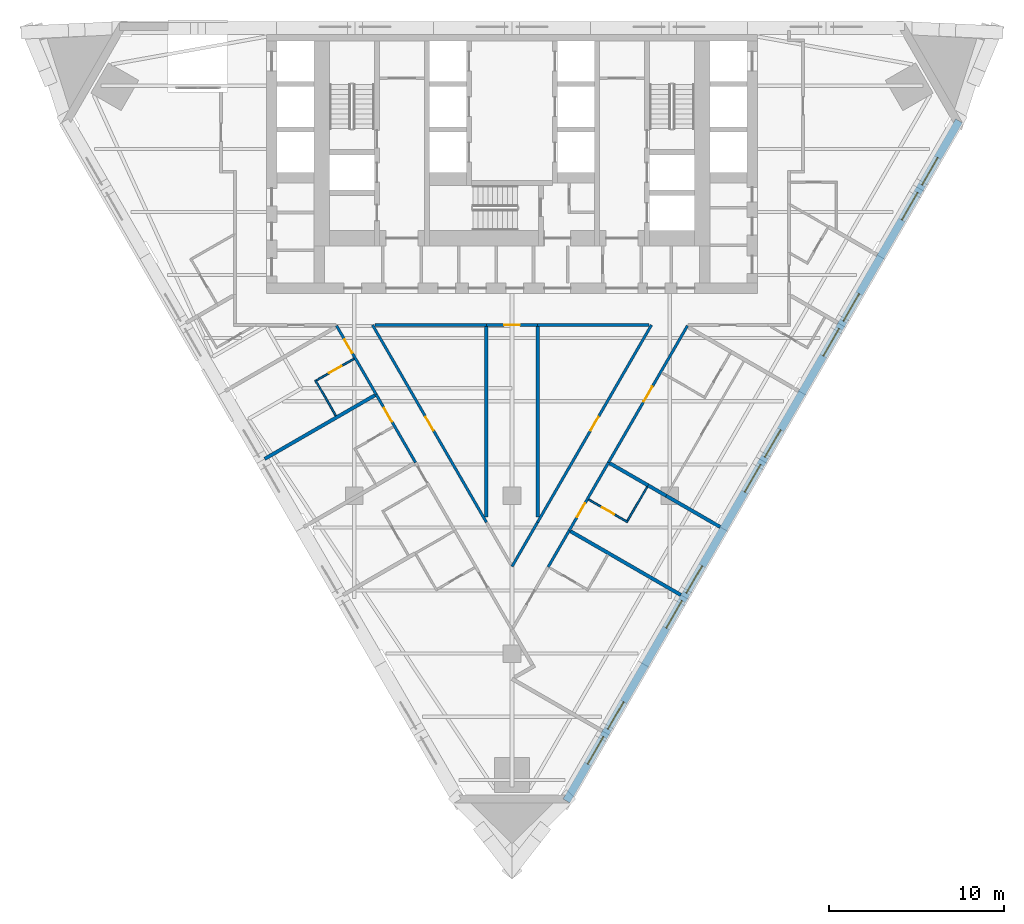
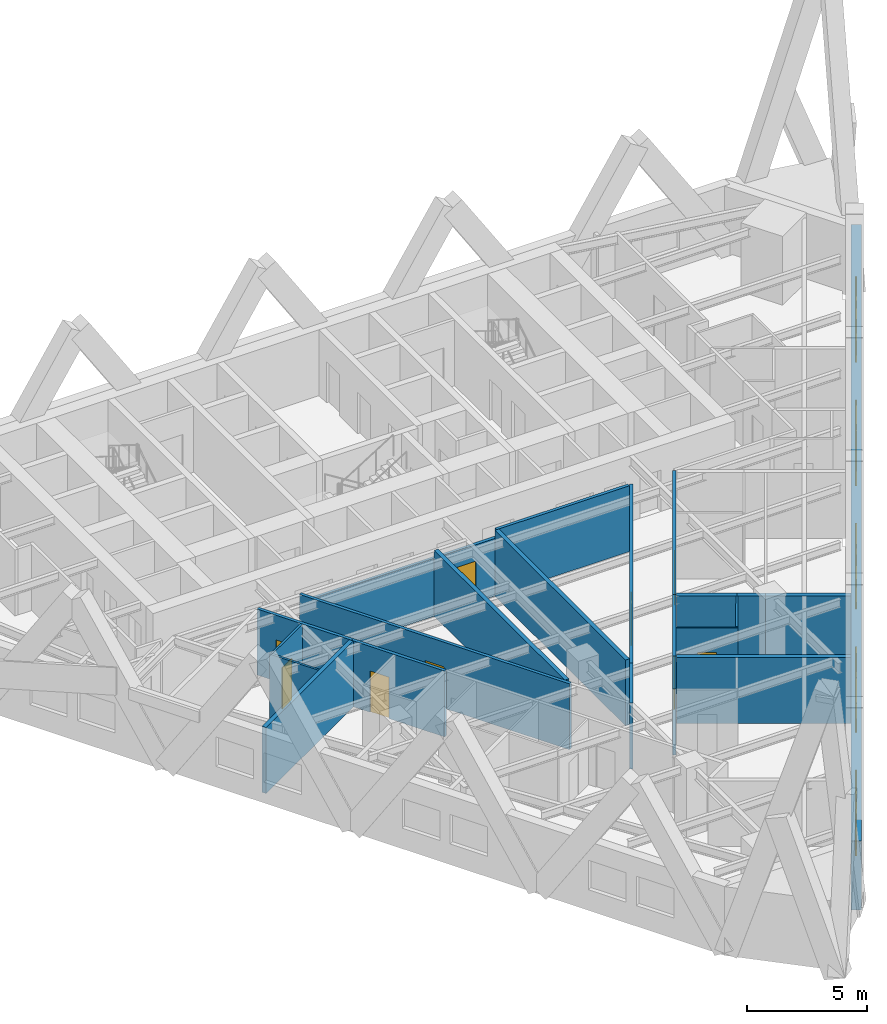
# One storey, part 5 of 11: 23 walls, 10 windows, 9 doors, 19 openings.
"""IFC4 building model written with IfcOpenShell, lengths in metres."""

from ifc_helpers import new_model, si_unit, direction, frame, frame_2d, origin, place, context, subcontext, project, spatial, polyline, rectangle, outline, extrude, material, layer, layer_set, type_object, element, fill, save


model = new_model("IFC4")

# Units and contexts
model_context = context("Model", 3, precision=1e-05, world=origin(), true_north=direction((0.0, 1.0)))
body_context = subcontext(model_context, "Body", "Model", "MODEL_VIEW")
ifc_project = project(units=[si_unit("LENGTHUNIT", "METRE"), si_unit("AREAUNIT", "SQUARE_METRE"), si_unit("VOLUMEUNIT", "CUBIC_METRE"), si_unit("PLANEANGLEUNIT", "RADIAN"), si_unit("MASSUNIT", "GRAM", prefix="KILO")], contexts=[model_context])

# Site, building, storey
site_placement = place(None, origin())
site = spatial("IfcSite", under=ifc_project, at=site_placement, CompositionType="ELEMENT")
building_placement = place(site_placement, origin())
building = spatial("IfcBuilding", under=site, at=building_placement, Name="Aloe Facet Convention Tower", CompositionType="ELEMENT")
storey_placement = place(building_placement, frame((0.0, 0.0, 49.0)))
storey = spatial("IfcBuildingStorey", under=building, at=storey_placement, Name="L10", CompositionType="ELEMENT", Elevation=49.0)

# Wall, openings, windows
ifc_material_1 = material(Name="Precast concrete C40/50", Category="concrete")
ifc_layer_1 = layer(ifc_material_1, 0.449951171875)
ifc_layer_set_1 = layer_set([ifc_layer_1], Name="EV-WALL-STONE")
wall_type_1 = type_object("IfcWallType", Name="EV-WALL-STONE", PredefinedType="SOLIDWALL", material=ifc_layer_set_1)
wall_1_placement = place(storey_placement, frame((83.105224609375, 90.598876953125, -0.14990234375), z_axis=(0.0, 0.0, 1.0), x_axis=(0.499999201451, 0.866025864826, 0.0)))
wall_1 = element("IfcWall", 1, at=wall_1_placement, inside=storey, type_object=wall_type_1, Name="EW-L10-E01", PredefinedType="SOLIDWALL", context=body_context, shape_type="SweptSolid", body=[
    extrude(outline(polyline([(44.800048828125, 0.0), (44.800048828125, 3.5), (0.0, 3.5), (0.0, 0.0), (44.800048828125, 0.0)])), frame((0.0, 0.22509765625, 0.0), z_axis=(0.0, -1.0, 0.0), x_axis=(1.0, 0.0, 0.0)), (0.0, 0.0, 1.0), 0.449951171875),
])
opening_1_placement = place(wall_1_placement, frame((2.429931640625, 0.0, 1.050048828125)))
opening_1 = element("IfcOpeningElement", 2, at=opening_1_placement, cuts=wall_1, Name="Opening W-L10-E01", PredefinedType="OPENING", context=body_context, shape_type="SweptSolid", body=[
    extrude(rectangle(XDim=1.800048828125, YDim=1.5, at=frame_2d((0.89990234375, 0.75))), frame((0.0, 0.23486328125, 0.0), z_axis=(0.0, -1.0, 0.0), x_axis=(1.0, 0.0, 0.0)), (0.0, 0.0, 1.0), 0.469970703125),
])
opening_2_placement = place(wall_1_placement, frame((4.72998046875, 0.0, 1.050048828125)))
opening_2 = element("IfcOpeningElement", 3, at=opening_2_placement, cuts=wall_1, Name="Opening W-L10-E02", PredefinedType="OPENING", context=body_context, shape_type="SweptSolid", body=[
    extrude(rectangle(XDim=1.800048828125, YDim=1.5, at=frame_2d((0.89990234375, 0.75))), frame((0.0, 0.23486328125, 0.0), z_axis=(0.0, -1.0, 0.0), x_axis=(1.0, 0.0, 0.0)), (0.0, 0.0, 1.0), 0.469970703125),
])
opening_3_placement = place(wall_1_placement, frame((11.389892578125, 0.0, 1.050048828125)))
opening_3 = element("IfcOpeningElement", 4, at=opening_3_placement, cuts=wall_1, Name="Opening W-L10-E03", PredefinedType="OPENING", context=body_context, shape_type="SweptSolid", body=[
    extrude(rectangle(XDim=1.800048828125, YDim=1.5, at=frame_2d((0.89990234375, 0.75))), frame((0.0, 0.23486328125, 0.0), z_axis=(0.0, -1.0, 0.0), x_axis=(1.0, 0.0, 0.0)), (0.0, 0.0, 1.0), 0.469970703125),
])
opening_4_placement = place(wall_1_placement, frame((13.68994140625, 0.0, 1.050048828125)))
opening_4 = element("IfcOpeningElement", 5, at=opening_4_placement, cuts=wall_1, Name="Opening W-L10-E04", PredefinedType="OPENING", context=body_context, shape_type="SweptSolid", body=[
    extrude(rectangle(XDim=1.800048828125, YDim=1.5, at=frame_2d((0.89990234375, 0.75))), frame((0.0, 0.23486328125, 0.0), z_axis=(0.0, -1.0, 0.0), x_axis=(1.0, 0.0, 0.0)), (0.0, 0.0, 1.0), 0.469970703125),
])
opening_5_placement = place(wall_1_placement, frame((20.35009765625, 0.0, 1.050048828125)))
opening_5 = element("IfcOpeningElement", 6, at=opening_5_placement, cuts=wall_1, Name="Opening W-L10-E05", PredefinedType="OPENING", context=body_context, shape_type="SweptSolid", body=[
    extrude(rectangle(XDim=1.800048828125, YDim=1.5, at=frame_2d((0.89990234375, 0.75))), frame((0.0, 0.23486328125, 0.0), z_axis=(0.0, -1.0, 0.0), x_axis=(1.0, 0.0, 0.0)), (0.0, 0.0, 1.0), 0.469970703125),
])
opening_6_placement = place(wall_1_placement, frame((22.64990234375, 0.0, 1.050048828125)))
opening_6 = element("IfcOpeningElement", 7, at=opening_6_placement, cuts=wall_1, Name="Opening W-L10-E06", PredefinedType="OPENING", context=body_context, shape_type="SweptSolid", body=[
    extrude(rectangle(XDim=1.800048828125, YDim=1.5, at=frame_2d((0.89990234375, 0.75))), frame((0.0, 0.23486328125, 0.0), z_axis=(0.0, -1.0, 0.0), x_axis=(1.0, 0.0, 0.0)), (0.0, 0.0, 1.0), 0.469970703125),
])
opening_7_placement = place(wall_1_placement, frame((29.31005859375, 0.0, 1.050048828125)))
opening_7 = element("IfcOpeningElement", 8, at=opening_7_placement, cuts=wall_1, Name="Opening W-L10-E07", PredefinedType="OPENING", context=body_context, shape_type="SweptSolid", body=[
    extrude(rectangle(XDim=1.800048828125, YDim=1.5, at=frame_2d((0.89990234375, 0.75))), frame((0.0, 0.23486328125, 0.0), z_axis=(0.0, -1.0, 0.0), x_axis=(1.0, 0.0, 0.0)), (0.0, 0.0, 1.0), 0.469970703125),
])
opening_8_placement = place(wall_1_placement, frame((31.610107421875, 0.0, 1.050048828125)))
opening_8 = element("IfcOpeningElement", 9, at=opening_8_placement, cuts=wall_1, Name="Opening W-L10-E08", PredefinedType="OPENING", context=body_context, shape_type="SweptSolid", body=[
    extrude(rectangle(XDim=1.800048828125, YDim=1.5, at=frame_2d((0.89990234375, 0.75))), frame((0.0, 0.23486328125, 0.0), z_axis=(0.0, -1.0, 0.0), x_axis=(1.0, 0.0, 0.0)), (0.0, 0.0, 1.0), 0.469970703125),
])
opening_9_placement = place(wall_1_placement, frame((38.27001953125, 0.0, 1.050048828125)))
opening_9 = element("IfcOpeningElement", 10, at=opening_9_placement, cuts=wall_1, Name="Opening W-L10-E09", PredefinedType="OPENING", context=body_context, shape_type="SweptSolid", body=[
    extrude(rectangle(XDim=1.800048828125, YDim=1.5, at=frame_2d((0.89990234375, 0.75))), frame((0.0, 0.23486328125, 0.0), z_axis=(0.0, -1.0, 0.0), x_axis=(1.0, 0.0, 0.0)), (0.0, 0.0, 1.0), 0.469970703125),
])
opening_10_placement = place(wall_1_placement, frame((40.570068359375, 0.0, 1.050048828125)))
opening_10 = element("IfcOpeningElement", 11, at=opening_10_placement, cuts=wall_1, Name="Opening W-L10-E10", PredefinedType="OPENING", context=body_context, shape_type="SweptSolid", body=[
    extrude(rectangle(XDim=1.800048828125, YDim=1.5, at=frame_2d((0.89990234375, 0.75))), frame((0.0, 0.23486328125, 0.0), z_axis=(0.0, -1.0, 0.0), x_axis=(1.0, 0.0, 0.0)), (0.0, 0.0, 1.0), 0.469970703125),
])
ifc_material_2 = material(Name="Aluminium frame, clear double glazing", Category="aluminium")
window_type = type_object("IfcWindowType", Name="EV-WIN-H18", PartitioningType="SINGLE_PANEL", PredefinedType="WINDOW", material=ifc_material_2)
window_1_placement = place(opening_1_placement, origin())
window_1 = element("IfcWindow", 12, at=window_1_placement, inside=storey, type_object=window_type, Name="W-L10-E01", OverallHeight=1.5, OverallWidth=1.800048828125, PartitioningType="SINGLE_PANEL", PredefinedType="WINDOW", context=body_context, shape_type="SweptSolid", body=[
    extrude(rectangle(XDim=1.800048828125, YDim=1.5, at=frame_2d((0.89990234375, 0.75))), frame((0.0, 0.030029296875, 0.0), z_axis=(0.0, -1.0, 0.0), x_axis=(1.0, 0.0, 0.0)), (0.0, 0.0, 1.0), 0.06005859375),
])
fill(opening_1, window_1)
window_2_placement = place(opening_2_placement, origin())
window_2 = element("IfcWindow", 13, at=window_2_placement, inside=storey, type_object=window_type, Name="W-L10-E02", OverallHeight=1.5, OverallWidth=1.800048828125, PartitioningType="SINGLE_PANEL", PredefinedType="WINDOW", context=body_context, shape_type="SweptSolid", body=[
    extrude(rectangle(XDim=1.800048828125, YDim=1.5, at=frame_2d((0.89990234375, 0.75))), frame((0.0, 0.030029296875, 0.0), z_axis=(0.0, -1.0, 0.0), x_axis=(1.0, 0.0, 0.0)), (0.0, 0.0, 1.0), 0.06005859375),
])
fill(opening_2, window_2)
window_3_placement = place(opening_3_placement, origin())
window_3 = element("IfcWindow", 14, at=window_3_placement, inside=storey, type_object=window_type, Name="W-L10-E03", OverallHeight=1.5, OverallWidth=1.800048828125, PartitioningType="SINGLE_PANEL", PredefinedType="WINDOW", context=body_context, shape_type="SweptSolid", body=[
    extrude(rectangle(XDim=1.800048828125, YDim=1.5, at=frame_2d((0.89990234375, 0.75))), frame((0.0, 0.030029296875, 0.0), z_axis=(0.0, -1.0, 0.0), x_axis=(1.0, 0.0, 0.0)), (0.0, 0.0, 1.0), 0.06005859375),
])
fill(opening_3, window_3)
window_4_placement = place(opening_4_placement, origin())
window_4 = element("IfcWindow", 15, at=window_4_placement, inside=storey, type_object=window_type, Name="W-L10-E04", OverallHeight=1.5, OverallWidth=1.800048828125, PartitioningType="SINGLE_PANEL", PredefinedType="WINDOW", context=body_context, shape_type="SweptSolid", body=[
    extrude(rectangle(XDim=1.800048828125, YDim=1.5, at=frame_2d((0.89990234375, 0.75))), frame((0.0, 0.030029296875, 0.0), z_axis=(0.0, -1.0, 0.0), x_axis=(1.0, 0.0, 0.0)), (0.0, 0.0, 1.0), 0.06005859375),
])
fill(opening_4, window_4)
window_5_placement = place(opening_5_placement, origin())
window_5 = element("IfcWindow", 16, at=window_5_placement, inside=storey, type_object=window_type, Name="W-L10-E05", OverallHeight=1.5, OverallWidth=1.800048828125, PartitioningType="SINGLE_PANEL", PredefinedType="WINDOW", context=body_context, shape_type="SweptSolid", body=[
    extrude(rectangle(XDim=1.800048828125, YDim=1.5, at=frame_2d((0.89990234375, 0.75))), frame((0.0, 0.030029296875, 0.0), z_axis=(0.0, -1.0, 0.0), x_axis=(1.0, 0.0, 0.0)), (0.0, 0.0, 1.0), 0.06005859375),
])
fill(opening_5, window_5)
window_6_placement = place(opening_6_placement, origin())
window_6 = element("IfcWindow", 17, at=window_6_placement, inside=storey, type_object=window_type, Name="W-L10-E06", OverallHeight=1.5, OverallWidth=1.800048828125, PartitioningType="SINGLE_PANEL", PredefinedType="WINDOW", context=body_context, shape_type="SweptSolid", body=[
    extrude(rectangle(XDim=1.800048828125, YDim=1.5, at=frame_2d((0.89990234375, 0.75))), frame((0.0, 0.030029296875, 0.0), z_axis=(0.0, -1.0, 0.0), x_axis=(1.0, 0.0, 0.0)), (0.0, 0.0, 1.0), 0.06005859375),
])
fill(opening_6, window_6)
window_7_placement = place(opening_7_placement, origin())
window_7 = element("IfcWindow", 18, at=window_7_placement, inside=storey, type_object=window_type, Name="W-L10-E07", OverallHeight=1.5, OverallWidth=1.800048828125, PartitioningType="SINGLE_PANEL", PredefinedType="WINDOW", context=body_context, shape_type="SweptSolid", body=[
    extrude(rectangle(XDim=1.800048828125, YDim=1.5, at=frame_2d((0.89990234375, 0.75))), frame((0.0, 0.030029296875, 0.0), z_axis=(0.0, -1.0, 0.0), x_axis=(1.0, 0.0, 0.0)), (0.0, 0.0, 1.0), 0.06005859375),
])
fill(opening_7, window_7)
window_8_placement = place(opening_8_placement, origin())
window_8 = element("IfcWindow", 19, at=window_8_placement, inside=storey, type_object=window_type, Name="W-L10-E08", OverallHeight=1.5, OverallWidth=1.800048828125, PartitioningType="SINGLE_PANEL", PredefinedType="WINDOW", context=body_context, shape_type="SweptSolid", body=[
    extrude(rectangle(XDim=1.800048828125, YDim=1.5, at=frame_2d((0.89990234375, 0.75))), frame((0.0, 0.030029296875, 0.0), z_axis=(0.0, -1.0, 0.0), x_axis=(1.0, 0.0, 0.0)), (0.0, 0.0, 1.0), 0.06005859375),
])
fill(opening_8, window_8)
window_9_placement = place(opening_9_placement, origin())
window_9 = element("IfcWindow", 20, at=window_9_placement, inside=storey, type_object=window_type, Name="W-L10-E09", OverallHeight=1.5, OverallWidth=1.800048828125, PartitioningType="SINGLE_PANEL", PredefinedType="WINDOW", context=body_context, shape_type="SweptSolid", body=[
    extrude(rectangle(XDim=1.800048828125, YDim=1.5, at=frame_2d((0.89990234375, 0.75))), frame((0.0, 0.030029296875, 0.0), z_axis=(0.0, -1.0, 0.0), x_axis=(1.0, 0.0, 0.0)), (0.0, 0.0, 1.0), 0.06005859375),
])
fill(opening_9, window_9)
window_10_placement = place(opening_10_placement, origin())
window_10 = element("IfcWindow", 21, at=window_10_placement, inside=storey, type_object=window_type, Name="W-L10-E10", OverallHeight=1.5, OverallWidth=1.800048828125, PartitioningType="SINGLE_PANEL", PredefinedType="WINDOW", context=body_context, shape_type="SweptSolid", body=[
    extrude(rectangle(XDim=1.800048828125, YDim=1.5, at=frame_2d((0.89990234375, 0.75))), frame((0.0, 0.030029296875, 0.0), z_axis=(0.0, -1.0, 0.0), x_axis=(1.0, 0.0, 0.0)), (0.0, 0.0, 1.0), 0.06005859375),
])
fill(opening_10, window_10)

# Walls
ifc_material_3 = material(Name="Gypsum board partition on steel studs", Category="steel")
ifc_layer_2 = layer(ifc_material_3, 0.14990234375)
ifc_layer_set_2 = layer_set([ifc_layer_2], Name="IN-W-CORR")
wall_type_2 = type_object("IfcWallType", Name="IN-W-CORR", PredefinedType="PARTITIONING", material=ifc_layer_set_2)
wall_2_placement = place(storey_placement, frame((82.06494140625, 103.947265625, 0.0), z_axis=(0.0, 0.0, 1.0), x_axis=(0.500001309137, 0.866024647952, 0.0)))
element("IfcWall", 22, at=wall_2_placement, inside=storey, type_object=wall_type_2, Name="Partition L10-W010", PredefinedType="PARTITIONING", context=body_context, shape_type="SweptSolid", body=[
    extrude(rectangle(XDim=2.39990234375, YDim=0.14990234375, at=frame_2d((1.199951171875, 0.0))), origin(), (0.0, 0.0, 1.0), 3.35009765625),
])
wall_3_placement = place(storey_placement, frame((80.0, 103.970458984375, 0.0), z_axis=(0.0, 0.0, 1.0), x_axis=(0.49998782916, 0.866032430508, 0.0)))
element("IfcWall", 23, at=wall_3_placement, inside=storey, type_object=wall_type_2, Name="Partition L10-W012", PredefinedType="PARTITIONING", context=body_context, shape_type="SweptSolid", body=[
    extrude(rectangle(XDim=2.919921875, YDim=0.14990234375, at=frame_2d((1.4599609375, 0.0))), origin(), (0.0, 0.0, 1.0), 3.35009765625),
])

# Wall, opening, door
wall_4_placement = place(storey_placement, frame((72.2548828125, 113.78515625, 0.0), z_axis=(0.0, 0.0, 1.0), x_axis=(0.500054230829, -0.865994091337, 0.0)))
wall_4 = element("IfcWall", 24, at=wall_4_placement, inside=storey, type_object=wall_type_2, Name="Partition L10-W040", PredefinedType="PARTITIONING", context=body_context, shape_type="SweptSolid", body=[
    extrude(rectangle(XDim=4.47998046875, YDim=0.14990234375, at=frame_2d((2.239990234375, 0.0))), origin(), (0.0, 0.0, 1.0), 3.35009765625),
])
opening_11_placement = place(wall_4_placement, frame((0.89599609375, 0.0, 0.0)))
opening_11 = element("IfcOpeningElement", 25, at=opening_11_placement, cuts=wall_4, Name="Opening L10-005", PredefinedType="OPENING", context=body_context, shape_type="SweptSolid", body=[
    extrude(rectangle(XDim=0.89990234375, YDim=2.10009765625, at=frame_2d((0.449951171875, 1.050048828125))), frame((0.0, 0.0849609375, 0.0), z_axis=(0.0, -1.0, 0.0), x_axis=(1.0, 0.0, 0.0)), (0.0, 0.0, 1.0), 0.169921875),
])
ifc_material_4 = material(Name="Hardwood flush door FD30S", Category="wood")
door_type_1 = type_object("IfcDoorType", Name="IN-D-GUEST", OperationType="SINGLE_SWING_LEFT", PredefinedType="DOOR", material=ifc_material_4)
door_1_placement = place(opening_11_placement, origin())
door_1 = element("IfcDoor", 26, at=door_1_placement, inside=storey, type_object=door_type_1, Name="Door L10-005", OperationType="SINGLE_SWING_LEFT", OverallHeight=2.10009765625, OverallWidth=0.89990234375, PredefinedType="DOOR", context=body_context, shape_type="SweptSolid", body=[
    extrude(rectangle(XDim=0.89990234375, YDim=2.10009765625, at=frame_2d((0.449951171875, 1.050048828125))), frame((0.0, 0.02490234375, 0.0), z_axis=(0.0, -1.0, 0.0), x_axis=(1.0, 0.0, 0.0)), (0.0, 0.0, 1.0), 0.050048828125),
])
fill(opening_11, door_1)

wall_5_placement = place(storey_placement, frame((83.264892578125, 106.025634765625, 0.0), z_axis=(0.0, 0.0, 1.0), x_axis=(0.499989762656, 0.866031314237, 0.0)))
wall_5 = element("IfcWall", 27, at=wall_5_placement, inside=storey, type_object=wall_type_2, Name="Partition L10-W041", PredefinedType="PARTITIONING", context=body_context, shape_type="SweptSolid", body=[
    extrude(rectangle(XDim=4.47998046875, YDim=0.14990234375, at=frame_2d((2.239990234375, 0.0))), origin(), (0.0, 0.0, 1.0), 3.35009765625),
])
opening_12_placement = place(wall_5_placement, frame((0.89599609375, 0.0, 0.0)))
opening_12 = element("IfcOpeningElement", 28, at=opening_12_placement, cuts=wall_5, Name="Opening L10-009", PredefinedType="OPENING", context=body_context, shape_type="SweptSolid", body=[
    extrude(rectangle(XDim=0.89990234375, YDim=2.10009765625, at=frame_2d((0.449951171875, 1.050048828125))), frame((0.0, 0.0849609375, 0.0), z_axis=(0.0, -1.0, 0.0), x_axis=(1.0, 0.0, 0.0)), (0.0, 0.0, 1.0), 0.169921875),
])
door_2_placement = place(opening_12_placement, origin())
door_2 = element("IfcDoor", 29, at=door_2_placement, inside=storey, type_object=door_type_1, Name="Door L10-009", OperationType="SINGLE_SWING_LEFT", OverallHeight=2.10009765625, OverallWidth=0.89990234375, PredefinedType="DOOR", context=body_context, shape_type="SweptSolid", body=[
    extrude(rectangle(XDim=0.89990234375, YDim=2.10009765625, at=frame_2d((0.449951171875, 1.050048828125))), frame((0.0, 0.02490234375, 0.0), z_axis=(0.0, -1.0, 0.0), x_axis=(1.0, 0.0, 0.0)), (0.0, 0.0, 1.0), 0.050048828125),
])
fill(opening_12, door_2)

wall_6_placement = place(storey_placement, frame((85.5048828125, 109.905517578125, 0.0), z_axis=(0.0, 0.0, 1.0), x_axis=(0.500017993482, 0.866015014994, 0.0)))
wall_6 = element("IfcWall", 30, at=wall_6_placement, inside=storey, type_object=wall_type_2, Name="Partition L10-W042", PredefinedType="PARTITIONING", context=body_context, shape_type="SweptSolid", body=[
    extrude(rectangle(XDim=9.010009765625, YDim=0.14990234375, at=frame_2d((4.5048828125, 0.0))), origin(), (0.0, 0.0, 1.0), 3.35009765625),
])
opening_13_placement = place(wall_6_placement, frame((4.0048828125, 0.0, 0.0)))
opening_13 = element("IfcOpeningElement", 31, at=opening_13_placement, cuts=wall_6, Name="Opening L10-015", PredefinedType="OPENING", context=body_context, shape_type="SweptSolid", body=[
    extrude(rectangle(XDim=1.0, YDim=2.10009765625, at=frame_2d((0.5, 1.050048828125))), frame((0.0, 0.0849609375, 0.0), z_axis=(0.0, -1.0, 0.0), x_axis=(1.0, 0.0, 0.0)), (0.0, 0.0, 1.0), 0.169921875),
])
ifc_material_5 = material(Name="Hardwood flush door FD30S", Category="wood")
door_type_2 = type_object("IfcDoorType", Name="IN-D-WIDE", OperationType="SINGLE_SWING_LEFT", PredefinedType="DOOR", material=ifc_material_5)
door_3_placement = place(opening_13_placement, origin())
door_3 = element("IfcDoor", 32, at=door_3_placement, inside=storey, type_object=door_type_2, Name="Door L10-015", OperationType="SINGLE_SWING_LEFT", OverallHeight=2.10009765625, OverallWidth=1.0, PredefinedType="DOOR", context=body_context, shape_type="SweptSolid", body=[
    extrude(rectangle(XDim=1.0, YDim=2.10009765625, at=frame_2d((0.5, 1.050048828125))), frame((0.0, 0.02490234375, 0.0), z_axis=(0.0, -1.0, 0.0), x_axis=(1.0, 0.0, 0.0)), (0.0, 0.0, 1.0), 0.050048828125),
])
fill(opening_13, door_3)

wall_7_placement = place(storey_placement, frame((69.989990234375, 117.708251953125, 0.0), z_axis=(0.0, 0.0, 1.0), x_axis=(0.499982154961, -0.866035706378, 0.0)))
wall_7 = element("IfcWall", 33, at=wall_7_placement, inside=storey, type_object=wall_type_2, Name="Partition L10-W051", PredefinedType="PARTITIONING", context=body_context, shape_type="SweptSolid", body=[
    extrude(rectangle(XDim=4.530029296875, YDim=0.14990234375, at=frame_2d((2.26513671875, 0.0))), origin(), (0.0, 0.0, 1.0), 3.35009765625),
])
opening_14_placement = place(wall_7_placement, frame((0.906005859375, 0.0, 0.0)))
opening_14 = element("IfcOpeningElement", 34, at=opening_14_placement, cuts=wall_7, Name="Opening L10-004", PredefinedType="OPENING", context=body_context, shape_type="SweptSolid", body=[
    extrude(rectangle(XDim=0.89990234375, YDim=2.10009765625, at=frame_2d((0.449951171875, 1.050048828125))), frame((0.0, 0.0849609375, 0.0), z_axis=(0.0, -1.0, 0.0), x_axis=(1.0, 0.0, 0.0)), (0.0, 0.0, 1.0), 0.169921875),
])
door_4_placement = place(opening_14_placement, origin())
door_4 = element("IfcDoor", 35, at=door_4_placement, inside=storey, type_object=door_type_1, Name="Door L10-004", OperationType="SINGLE_SWING_LEFT", OverallHeight=2.10009765625, OverallWidth=0.89990234375, PredefinedType="DOOR", context=body_context, shape_type="SweptSolid", body=[
    extrude(rectangle(XDim=0.89990234375, YDim=2.10009765625, at=frame_2d((0.449951171875, 1.050048828125))), frame((0.0, 0.02490234375, 0.0), z_axis=(0.0, -1.0, 0.0), x_axis=(1.0, 0.0, 0.0)), (0.0, 0.0, 1.0), 0.050048828125),
])
fill(opening_14, door_4)

wall_8_placement = place(storey_placement, frame((72.04443359375, 117.75, 0.0), z_axis=(0.0, 0.0, 1.0), x_axis=(0.49999954256, -0.866025667887, 0.0)))
wall_8 = element("IfcWall", 36, at=wall_8_placement, inside=storey, type_object=wall_type_2, Name="Partition L10-W072", PredefinedType="PARTITIONING", context=body_context, shape_type="SweptSolid", body=[
    extrude(rectangle(XDim=12.9912109375, YDim=0.14990234375, at=frame_2d((6.49560546875, 0.0))), origin(), (0.0, 0.0, 1.0), 3.35009765625),
])
opening_15_placement = place(wall_8_placement, frame((6.045654296875, 0.0, 0.0)))
opening_15 = element("IfcOpeningElement", 37, at=opening_15_placement, cuts=wall_8, Name="Opening L10-012", PredefinedType="OPENING", context=body_context, shape_type="SweptSolid", body=[
    extrude(rectangle(XDim=0.89990234375, YDim=2.10009765625, at=frame_2d((0.449951171875, 1.050048828125))), frame((0.0, 0.0849609375, 0.0), z_axis=(0.0, -1.0, 0.0), x_axis=(1.0, 0.0, 0.0)), (0.0, 0.0, 1.0), 0.169921875),
])
door_5_placement = place(opening_15_placement, origin())
door_5 = element("IfcDoor", 38, at=door_5_placement, inside=storey, type_object=door_type_1, Name="Door L10-012", OperationType="SINGLE_SWING_LEFT", OverallHeight=2.10009765625, OverallWidth=0.89990234375, PredefinedType="DOOR", context=body_context, shape_type="SweptSolid", body=[
    extrude(rectangle(XDim=0.89990234375, YDim=2.10009765625, at=frame_2d((0.449951171875, 1.050048828125))), frame((0.0, 0.02490234375, 0.0), z_axis=(0.0, -1.0, 0.0), x_axis=(1.0, 0.0, 0.0)), (0.0, 0.0, 1.0), 0.050048828125),
])
fill(opening_15, door_5)

# Wall
wall_9_placement = place(storey_placement, frame((72.17431640625, 117.75, 0.0), z_axis=(0.0, 0.0, 1.0), x_axis=(1.0, 0.0, 0.0)))
element("IfcWall", 39, at=wall_9_placement, inside=storey, type_object=wall_type_2, Name="Partition L10-W073", PredefinedType="PARTITIONING", context=body_context, shape_type="SweptSolid", body=[
    extrude(rectangle(XDim=6.36572265625, YDim=0.14990234375, at=frame_2d((3.182861328125, 0.0))), origin(), (0.0, 0.0, 1.0), 2.9375),
])

# Wall, opening, door
wall_10_placement = place(storey_placement, frame((78.5400390625, 117.75, 0.0), z_axis=(0.0, 0.0, 1.0), x_axis=(1.0, 0.0, 0.0)))
wall_10 = element("IfcWall", 40, at=wall_10_placement, inside=storey, type_object=wall_type_2, Name="Partition L10-W074", PredefinedType="PARTITIONING", context=body_context, shape_type="SweptSolid", body=[
    extrude(rectangle(XDim=2.919921875, YDim=0.14990234375, at=frame_2d((1.4599609375, 0.0))), origin(), (0.0, 0.0, 1.0), 2.9375),
])
opening_16_placement = place(wall_10_placement, frame((1.010009765625, 0.0, 0.0)))
opening_16 = element("IfcOpeningElement", 41, at=opening_16_placement, cuts=wall_10, Name="Opening L10-013", PredefinedType="OPENING", context=body_context, shape_type="SweptSolid", body=[
    extrude(rectangle(XDim=0.89990234375, YDim=2.10009765625, at=frame_2d((0.449951171875, 1.050048828125))), frame((0.0, 0.0849609375, 0.0), z_axis=(0.0, -1.0, 0.0), x_axis=(1.0, 0.0, 0.0)), (0.0, 0.0, 1.0), 0.169921875),
])
door_6_placement = place(opening_16_placement, origin())
door_6 = element("IfcDoor", 42, at=door_6_placement, inside=storey, type_object=door_type_1, Name="Door L10-013", OperationType="SINGLE_SWING_LEFT", OverallHeight=2.10009765625, OverallWidth=0.89990234375, PredefinedType="DOOR", context=body_context, shape_type="SweptSolid", body=[
    extrude(rectangle(XDim=0.89990234375, YDim=2.10009765625, at=frame_2d((0.449951171875, 1.050048828125))), frame((0.0, 0.02490234375, 0.0), z_axis=(0.0, -1.0, 0.0), x_axis=(1.0, 0.0, 0.0)), (0.0, 0.0, 1.0), 0.050048828125),
])
fill(opening_16, door_6)

wall_11_placement = place(storey_placement, frame((81.4599609375, 106.499267578125, 0.0), z_axis=(0.0, 0.0, 1.0), x_axis=(0.49999954256, 0.866025667887, 0.0)))
wall_11 = element("IfcWall", 43, at=wall_11_placement, inside=storey, type_object=wall_type_2, Name="Partition L10-W075", PredefinedType="PARTITIONING", context=body_context, shape_type="SweptSolid", body=[
    extrude(rectangle(XDim=12.9912109375, YDim=0.14990234375, at=frame_2d((6.49560546875, 0.0))), origin(), (0.0, 0.0, 1.0), 3.35009765625),
])
opening_17_placement = place(wall_11_placement, frame((6.045654296875, 0.0, 0.0)))
opening_17 = element("IfcOpeningElement", 44, at=opening_17_placement, cuts=wall_11, Name="Opening L10-014", PredefinedType="OPENING", context=body_context, shape_type="SweptSolid", body=[
    extrude(rectangle(XDim=0.89990234375, YDim=2.10009765625, at=frame_2d((0.449951171875, 1.050048828125))), frame((0.0, 0.0849609375, 0.0), z_axis=(0.0, -1.0, 0.0), x_axis=(1.0, 0.0, 0.0)), (0.0, 0.0, 1.0), 0.169921875),
])
door_7_placement = place(opening_17_placement, origin())
door_7 = element("IfcDoor", 45, at=door_7_placement, inside=storey, type_object=door_type_1, Name="Door L10-014", OperationType="SINGLE_SWING_LEFT", OverallHeight=2.10009765625, OverallWidth=0.89990234375, PredefinedType="DOOR", context=body_context, shape_type="SweptSolid", body=[
    extrude(rectangle(XDim=0.89990234375, YDim=2.10009765625, at=frame_2d((0.449951171875, 1.050048828125))), frame((0.0, 0.02490234375, 0.0), z_axis=(0.0, -1.0, 0.0), x_axis=(1.0, 0.0, 0.0)), (0.0, 0.0, 1.0), 0.050048828125),
])
fill(opening_17, door_7)

# Wall
wall_12_placement = place(storey_placement, frame((81.4599609375, 117.75, 0.0), z_axis=(0.0, 0.0, 1.0), x_axis=(1.0, 0.0, 0.0)))
element("IfcWall", 46, at=wall_12_placement, inside=storey, type_object=wall_type_2, Name="Partition L10-W076", PredefinedType="PARTITIONING", context=body_context, shape_type="SweptSolid", body=[
    extrude(rectangle(XDim=6.36572265625, YDim=0.14990234375, at=frame_2d((3.182861328125, 0.0))), origin(), (0.0, 0.0, 1.0), 3.35009765625),
])

# Wall, opening, door
ifc_material_6 = material(Name="Gypsum board partition on steel studs", Category="steel")
ifc_layer_3 = layer(ifc_material_6, 0.10009765625)
ifc_layer_set_3 = layer_set([ifc_layer_3], Name="IN-W-PART")
wall_type_3 = type_object("IfcWallType", Name="IN-W-PART", PredefinedType="PARTITIONING", material=ifc_layer_set_3)
wall_13_placement = place(storey_placement, frame((84.369873046875, 107.78955078125, 0.0), z_axis=(0.0, 0.0, 1.0), x_axis=(0.866005588531, -0.500034319456, 0.0)))
wall_13 = element("IfcWall", 47, at=wall_13_placement, inside=storey, type_object=wall_type_3, Name="Partition L10-W029", PredefinedType="PARTITIONING", context=body_context, shape_type="SweptSolid", body=[
    extrude(rectangle(XDim=2.574951171875, YDim=0.10009765625, at=frame_2d((1.28759765625, 0.0))), origin(), (0.0, 0.0, 1.0), 3.35009765625),
])
opening_18_placement = place(wall_13_placement, frame((0.887451171875, 0.0, 0.0)))
opening_18 = element("IfcOpeningElement", 48, at=opening_18_placement, cuts=wall_13, Name="Opening L10-024", PredefinedType="OPENING", context=body_context, shape_type="SweptSolid", body=[
    extrude(rectangle(XDim=0.800048828125, YDim=2.10009765625, at=frame_2d((0.39990234375, 1.050048828125))), frame((0.0, 0.06005859375, 0.0), z_axis=(0.0, -1.0, 0.0), x_axis=(1.0, 0.0, 0.0)), (0.0, 0.0, 1.0), 0.1201171875),
])
ifc_material_7 = material(Name="Timber flush door", Category="wood")
door_type_3 = type_object("IfcDoorType", Name="IN-D-BATH", OperationType="SINGLE_SWING_LEFT", PredefinedType="DOOR", material=ifc_material_7)
door_8_placement = place(opening_18_placement, origin())
door_8 = element("IfcDoor", 49, at=door_8_placement, inside=storey, type_object=door_type_3, Name="Door L10-024", OperationType="SINGLE_SWING_LEFT", OverallHeight=2.10009765625, OverallWidth=0.800048828125, PredefinedType="DOOR", context=body_context, shape_type="SweptSolid", body=[
    extrude(rectangle(XDim=0.800048828125, YDim=2.10009765625, at=frame_2d((0.39990234375, 1.050048828125))), frame((0.0, 0.02490234375, 0.0), z_axis=(0.0, -1.0, 0.0), x_axis=(1.0, 0.0, 0.0)), (0.0, 0.0, 1.0), 0.050048828125),
])
fill(opening_18, door_8)

# Walls
wall_14_placement = place(storey_placement, frame((86.5869140625, 106.578857421875, 0.0), z_axis=(0.0, 0.0, 1.0), x_axis=(0.503619137808, 0.863925786184, 0.0)))
element("IfcWall", 50, at=wall_14_placement, inside=storey, type_object=wall_type_3, Name="Partition L10-W036", PredefinedType="PARTITIONING", context=body_context, shape_type="SweptSolid", body=[
    extrude(rectangle(XDim=2.22998046875, YDim=0.10009765625, at=frame_2d((1.114990234375, 0.0))), origin(), (0.0, 0.0, 1.0), 3.35009765625),
])
wall_15_placement = place(storey_placement, frame((68.7783203125, 114.60693359375, 0.0), z_axis=(0.0, 0.0, 1.0), x_axis=(0.499999433879, -0.866025730634, 0.0)))
element("IfcWall", 51, at=wall_15_placement, inside=storey, type_object=wall_type_3, Name="Partition L10-W047", PredefinedType="PARTITIONING", context=body_context, shape_type="SweptSolid", body=[
    extrude(rectangle(XDim=2.33984375, YDim=0.10009765625, at=frame_2d((1.169921875, 0.0))), origin(), (0.0, 0.0, 1.0), 3.35009765625),
])

# Wall, opening, door
wall_16_placement = place(storey_placement, frame((68.8466796875, 114.588623046875, 0.0), z_axis=(0.0, 0.0, 1.0), x_axis=(0.866006523861, 0.500032699561, 0.0)))
wall_16 = element("IfcWall", 52, at=wall_16_placement, inside=storey, type_object=wall_type_3, Name="Partition L10-W054", PredefinedType="PARTITIONING", context=body_context, shape_type="SweptSolid", body=[
    extrude(rectangle(XDim=2.474853515625, YDim=0.10009765625, at=frame_2d((1.2373046875, 0.0))), origin(), (0.0, 0.0, 1.0), 3.35009765625),
])
opening_19_placement = place(wall_16_placement, frame((0.83740234375, 0.0, 0.0)))
opening_19 = element("IfcOpeningElement", 53, at=opening_19_placement, cuts=wall_16, Name="Opening L10-019", PredefinedType="OPENING", context=body_context, shape_type="SweptSolid", body=[
    extrude(rectangle(XDim=0.800048828125, YDim=2.10009765625, at=frame_2d((0.39990234375, 1.050048828125))), frame((0.0, 0.06005859375, 0.0), z_axis=(0.0, -1.0, 0.0), x_axis=(1.0, 0.0, 0.0)), (0.0, 0.0, 1.0), 0.1201171875),
])
door_9_placement = place(opening_19_placement, origin())
door_9 = element("IfcDoor", 54, at=door_9_placement, inside=storey, type_object=door_type_3, Name="Door L10-019", OperationType="SINGLE_SWING_LEFT", OverallHeight=2.10009765625, OverallWidth=0.800048828125, PredefinedType="DOOR", context=body_context, shape_type="SweptSolid", body=[
    extrude(rectangle(XDim=0.800048828125, YDim=2.10009765625, at=frame_2d((0.39990234375, 1.050048828125))), frame((0.0, 0.02490234375, 0.0), z_axis=(0.0, -1.0, 0.0), x_axis=(1.0, 0.0, 0.0)), (0.0, 0.0, 1.0), 0.050048828125),
])
fill(opening_19, door_9)

# Walls
ifc_material_8 = material(Name="Gypsum board partition on steel studs", Category="steel")
ifc_layer_4 = layer(ifc_material_8, 0.199951171875)
ifc_layer_set_4 = layer_set([ifc_layer_4], Name="IN-W-PARTY")
wall_type_4 = type_object("IfcWallType", Name="IN-W-PARTY", PredefinedType="PARTITIONING", material=ifc_layer_set_4)
wall_17_placement = place(storey_placement, frame((83.338623046875, 105.983154296875, 0.0), z_axis=(0.0, 0.0, 1.0), x_axis=(0.866023858256, -0.500002676924, 0.0)))
element("IfcWall", 55, at=wall_17_placement, inside=storey, type_object=wall_type_4, Name="Partition L10-W006", PredefinedType="PARTITIONING", context=body_context, shape_type="SweptSolid", body=[
    extrude(rectangle(XDim=7.26513671875, YDim=0.199951171875, at=frame_2d((3.632568359375, 0.0))), origin(), (0.0, 0.0, 1.0), 3.35009765625),
])
wall_18_placement = place(storey_placement, frame((88.7958984375, 108.00537109375, 0.0), z_axis=(0.0, 0.0, 1.0), x_axis=(0.8660424351, -0.499970499736, 0.0)))
element("IfcWall", 56, at=wall_18_placement, inside=storey, type_object=wall_type_4, Name="Partition L10-W025", PredefinedType="PARTITIONING", context=body_context, shape_type="SweptSolid", body=[
    extrude(rectangle(XDim=3.550048828125, YDim=0.199951171875, at=frame_2d((1.77490234375, 0.0))), origin(), (0.0, 0.0, 1.0), 3.35009765625),
])
for number, where, z_axis, x_axis, name in (
    (57, (78.5400390625, 106.79443359375, 0.0), (0.0, 0.0, 1.0), (0.0, 1.0, 0.0), "Partition L10-W027"),
    (58, (81.4599609375, 106.79443359375, 0.0), (0.0, 0.0, 1.0), (0.0, 1.0, 0.0), "Partition L10-W028"),
):
    element("IfcWall", number, at=place(storey_placement, frame(where, z_axis=z_axis, x_axis=x_axis)), inside=storey, type_object=wall_type_4, Name=name, PredefinedType="PARTITIONING", context=body_context, shape_type="SweptSolid", body=[
        extrude(rectangle(XDim=10.880615234375, YDim=0.199951171875, at=frame_2d((5.4404296875, 0.0))), origin(), (0.0, 0.0, 1.0), 3.35009765625),
    ])
wall_19_placement = place(storey_placement, frame((87.765380859375, 108.6005859375, 0.0), z_axis=(0.0, 0.0, 1.0), x_axis=(0.865936156674, -0.500154548679, 0.0)))
element("IfcWall", 59, at=wall_19_placement, inside=storey, type_object=wall_type_4, Name="Partition L10-W033", PredefinedType="PARTITIONING", context=body_context, shape_type="SweptSolid", body=[
    extrude(rectangle(XDim=1.18994140625, YDim=0.199951171875, at=frame_2d((0.594970703125, 0.0))), origin(), (0.0, 0.0, 1.0), 3.35009765625),
])
wall_20_placement = place(storey_placement, frame((85.57861328125, 109.863037109375, 0.0), z_axis=(0.0, 0.0, 1.0), x_axis=(0.866039067339, -0.499976333282, 0.0)))
element("IfcWall", 60, at=wall_20_placement, inside=storey, type_object=wall_type_4, Name="Partition L10-W034", PredefinedType="PARTITIONING", context=body_context, shape_type="SweptSolid", body=[
    extrude(rectangle(XDim=2.52490234375, YDim=0.199951171875, at=frame_2d((1.262451171875, 0.0))), origin(), (0.0, 0.0, 1.0), 3.35009765625),
])
wall_21_placement = place(storey_placement, frame((65.8896484375, 110.1103515625, 0.0), z_axis=(0.0, 0.0, 1.0), x_axis=(0.8660384094, 0.499977472937, 0.0)))
element("IfcWall", 61, at=wall_21_placement, inside=storey, type_object=wall_type_4, Name="Partition L10-W043", PredefinedType="PARTITIONING", context=body_context, shape_type="SweptSolid", body=[
    extrude(rectangle(XDim=7.264892578125, YDim=0.199951171875, at=frame_2d((3.63232421875, 0.0))), origin(), (0.0, 0.0, 1.0), 3.35009765625),
])

save(model, "model.ifc")
